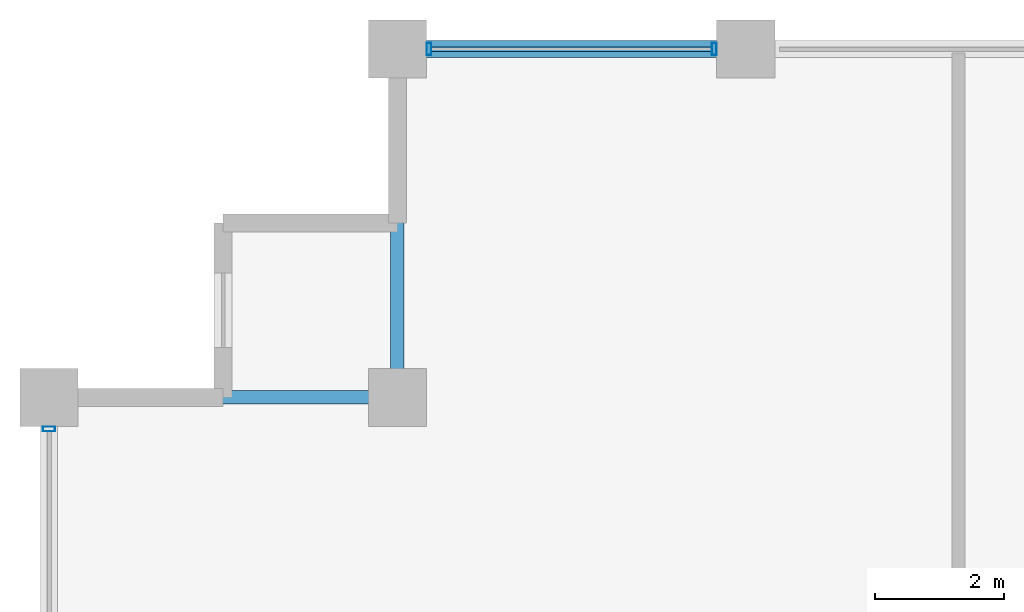
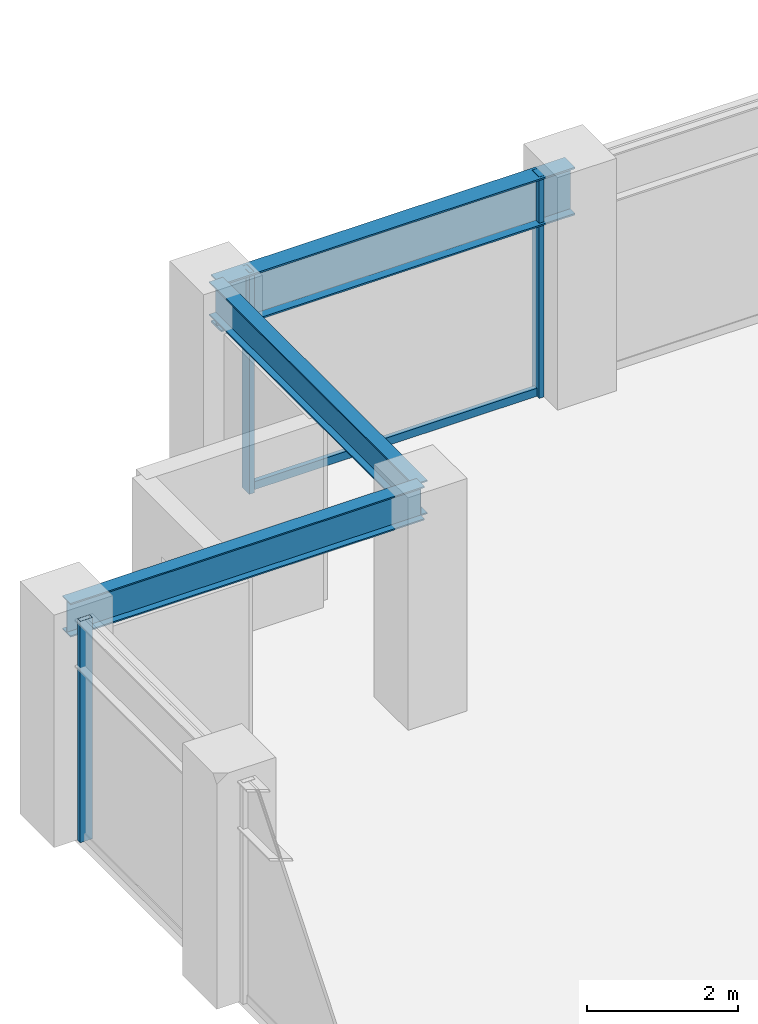
# One storey, part 18 of 32: 4 members, 3 beams, 2 elements without a shape of their own.
"""IFC4 building model written with IfcOpenShell, lengths in metres."""

import ifcopenshell
import ifcopenshell.guid

model = None  # the IFC model being written
_history = None  # IfcOwnerHistory: only IFC2X3 demands one
_inside = {}  # id of a spatial element -> (the spatial element, [elements in it])
_under = {}  # id of a project, library or spatial element -> (it, [spatial elements below it])
_declared = {}  # id of a project -> (the project, [libraries it declares])
_typed = {}  # id of a type object -> (the type object, [elements of that type])
_made_of = {}  # id of a material, layer set ... -> (it, [elements and type objects made of it])


def new_model(schema):
    """Start an empty IFC model of exactly this schema.

    Asked for "IFC4X3", IfcOpenShell would pick the latest addendum, in which some entities
    have other attributes; the version numbers below select the first issue.
    IFC2X3 requires an IfcOwnerHistory on every rooted entity: one is made here for all.
    """
    global model, _history
    if schema == "IFC4X3":
        model = ifcopenshell.file(schema_version=(4, 3, 0, 0))
    else:
        model = ifcopenshell.file(schema=schema)
    _inside.clear()
    _under.clear()
    _declared.clear()
    _typed.clear()
    _made_of.clear()
    _history = None
    if model.schema == "IFC2X3":
        org = make("IfcOrganization", Name="unknown")
        user = make(
            "IfcPersonAndOrganization",
            ThePerson=make("IfcPerson", FamilyName="unknown"),
            TheOrganization=org,
        )
        app = make(
            "IfcApplication",
            ApplicationDeveloper=org,
            Version="unknown",
            ApplicationFullName="unknown",
            ApplicationIdentifier="unknown",
        )
        _history = make(
            "IfcOwnerHistory",
            OwningUser=user,
            OwningApplication=app,
            ChangeAction="ADDED",
            CreationDate=0,
        )
    return model


def make(cls, **values):
    """One entity of the class cls with the attributes given. An attribute that is None is left unset."""
    return model.create_entity(
        cls, **{name: value for name, value in values.items() if value is not None}
    )


def rooted(cls, **values):
    """An entity with a GlobalId (a new one), such as an element, a storey or a relation."""
    return make(cls, GlobalId=ifcopenshell.guid.new(), OwnerHistory=_history, **values)


def si_unit(unit_type, name, prefix=None):
    """IfcSIUnit, for example si_unit("LENGTHUNIT", "METRE", prefix="MILLI")."""
    return make("IfcSIUnit", UnitType=unit_type, Prefix=prefix, Name=name)


def assignment(units):
    """IfcUnitAssignment: the units of a project."""
    return None if units is None else make("IfcUnitAssignment", Units=units)


def point(xyz):
    """IfcCartesianPoint."""
    return None if xyz is None else make("IfcCartesianPoint", Coordinates=xyz)


def direction(xyz):
    """IfcDirection."""
    return None if xyz is None else make("IfcDirection", DirectionRatios=xyz)


def frame(location, z_axis=None, x_axis=None):
    """IfcAxis2Placement3D, a coordinate frame: its origin and axes. An axis left out is left unset."""
    return make(
        "IfcAxis2Placement3D",
        Location=point(location),
        Axis=direction(z_axis),
        RefDirection=direction(x_axis),
    )


def frame_2d(location, x_axis=None):
    """IfcAxis2Placement2D, a coordinate frame in the plane: its origin and x axis."""
    return make(
        "IfcAxis2Placement2D", Location=point(location), RefDirection=direction(x_axis)
    )


def origin():
    """The frame at (0, 0, 0) with its axes left unset."""
    return frame((0.0, 0.0, 0.0))


def origin_2d():
    """The frame at (0, 0) in the plane with its x axis left unset."""
    return frame_2d((0.0, 0.0))


def place(relative_to, where):
    """IfcLocalPlacement: puts the frame where relative to a parent placement (None: the world)."""
    return make(
        "IfcLocalPlacement", PlacementRelTo=relative_to, RelativePlacement=where
    )


def context(
    kind, dimensions, precision=None, world=None, true_north=None, identifier=None
):
    """IfcGeometricRepresentationContext, for example the 3D "Model" context."""
    return make(
        "IfcGeometricRepresentationContext",
        ContextIdentifier=identifier,
        ContextType=kind,
        CoordinateSpaceDimension=dimensions,
        Precision=precision,
        WorldCoordinateSystem=world,
        TrueNorth=true_north,
    )


def subcontext(parent, identifier, kind, view, scale=None):
    """IfcGeometricRepresentationSubContext, for example "Body" below "Model"."""
    return make(
        "IfcGeometricRepresentationSubContext",
        ContextIdentifier=identifier,
        ContextType=kind,
        ParentContext=parent,
        TargetScale=scale,
        TargetView=view,
    )


def project(units=None, contexts=None):
    """IfcProject with its units and contexts."""
    return rooted(
        "IfcProject",
        Name="project",
        RepresentationContexts=contexts,
        UnitsInContext=assignment(units),
    )


def spatial(cls, under=None, at=None, **own):
    """A site, building, storey or space (cls), placed at a placement, below another one or the project."""
    s = rooted(cls, ObjectPlacement=at, **own)
    if under is not None:
        _under.setdefault(under.id(), (under, []))[1].append(s)
    return s


def profile(cls, at=None, kind="AREA", **sizes):
    """A parametric profile (cls). Its sizes go by their IFC names, for example OverallWidth=200.0."""
    return make(cls, ProfileType=kind, Position=at, **sizes)


def hollow_rectangle(**sizes):
    """IfcRectangleHollowProfileDef."""
    return profile("IfcRectangleHollowProfileDef", **sizes)


def i_section(**sizes):
    """IfcIShapeProfileDef."""
    return profile("IfcIShapeProfileDef", **sizes)


def extrude(swept, where, along, depth):
    """IfcExtrudedAreaSolid: the profile swept, set in the frame where, extruded along a direction by depth."""
    return make(
        "IfcExtrudedAreaSolid",
        SweptArea=swept,
        Position=where,
        ExtrudedDirection=direction(along),
        Depth=depth,
    )


def shape(context_of_items, identifier, shape_type, items):
    """IfcShapeRepresentation: the items that make up one representation, for example the "Body"."""
    return make(
        "IfcShapeRepresentation",
        ContextOfItems=context_of_items,
        RepresentationIdentifier=identifier,
        RepresentationType=shape_type,
        Items=items,
    )


def material(Name=None, Category=None):
    """IfcMaterial."""
    return make("IfcMaterial", Name=Name, Category=Category)


def layer(
    of_material, thickness, ventilated=None, Name=None, Category=None, Priority=None
):
    """IfcMaterialLayer: one layer of a wall or slab, of a material (None: an air gap)."""
    return make(
        "IfcMaterialLayer",
        Material=of_material,
        LayerThickness=thickness,
        IsVentilated=ventilated,
        Name=Name,
        Category=Category,
        Priority=Priority,
    )


def layer_set(layers, Name=None):
    """IfcMaterialLayerSet."""
    return make("IfcMaterialLayerSet", MaterialLayers=layers, LayerSetName=Name)


def material_profile(
    of_material, cross_section, Name=None, Category=None, Priority=None
):
    """IfcMaterialProfile: a cross section and its material."""
    return make(
        "IfcMaterialProfile",
        Name=Name,
        Material=of_material,
        Profile=cross_section,
        Priority=Priority,
        Category=Category,
    )


def profile_set(profiles, Name=None, composite=None):
    """IfcMaterialProfileSet."""
    return make(
        "IfcMaterialProfileSet",
        Name=Name,
        MaterialProfiles=profiles,
        CompositeProfile=composite,
    )


def made_of(thing, what):
    """Note that an element or type object is made of a material, layer set ...; save() writes the relation."""
    if what is not None:
        _made_of.setdefault(what.id(), (what, []))[1].append(thing)
    return thing


def type_object(cls, material=None, **own):
    """A type object (cls), such as IfcWallType, which elements share."""
    return made_of(rooted(cls, **own), material)


def element(
    cls,
    number,
    at=None,
    inside=None,
    cuts=None,
    type_object=None,
    material=None,
    context=None,
    identifier="Body",
    shape_type=None,
    held_by="IfcProductDefinitionShape",
    body=None,
    shapes=None,
    **own,
):
    """One element of the class cls, such as IfcWall. Its Tag is "e" and its number.

    at: its placement. inside: the storey or other place that contains it. cuts: it is an
    opening in that element (IfcRelVoidsElement). A single representation is given by context,
    identifier, shape_type and body (its items); several are given by shapes. held_by: the class
    of the entity that holds the representations. save() writes the other relations.
    """
    e = rooted(cls, Tag="e%d" % number, ObjectPlacement=at, **own)
    if body is not None:
        shapes = [shape(context, identifier, shape_type, body)]
    if shapes is not None:
        e.Representation = make(held_by, Representations=shapes)
    if inside is not None:
        _inside.setdefault(inside.id(), (inside, []))[1].append(e)
    if cuts is not None:
        rooted(
            "IfcRelVoidsElement", RelatingBuildingElement=cuts, RelatedOpeningElement=e
        )
    if type_object is not None:
        _typed.setdefault(type_object.id(), (type_object, []))[1].append(e)
    return made_of(e, material)


def aggregate(whole, parts):
    """IfcRelAggregates: a whole, such as a stair, and the parts it consists of."""
    return rooted("IfcRelAggregates", RelatingObject=whole, RelatedObjects=parts)


def save(model, path):
    """Write the relations noted so far, then the file.

    IfcRelAggregates (storeys below a building ...), IfcRelContainedInSpatialStructure (elements
    in a storey), IfcRelDefinesByType, IfcRelAssociatesMaterial and IfcRelDeclares: one each for
    every whole, place, type object, material and project.
    """
    for whole, parts in _under.values():
        aggregate(whole, parts)
    for where, things in _inside.values():
        rooted(
            "IfcRelContainedInSpatialStructure",
            RelatedElements=things,
            RelatingStructure=where,
        )
    for kind, things in _typed.values():
        rooted("IfcRelDefinesByType", RelatedObjects=things, RelatingType=kind)
    for what, things in _made_of.values():
        rooted("IfcRelAssociatesMaterial", RelatedObjects=things, RelatingMaterial=what)
    for by, libraries in _declared.values():
        rooted("IfcRelDeclares", RelatingContext=by, RelatedDefinitions=libraries)
    model.write(path)


model = new_model("IFC4")

# Units and contexts
model_context = context("Model", 3, precision=1e-05, world=origin(), true_north=direction((0.0, 1.0)))
body_context = subcontext(model_context, "Body", "Model", "MODEL_VIEW")
ifc_project = project(units=[si_unit("LENGTHUNIT", "METRE"), si_unit("AREAUNIT", "SQUARE_METRE"), si_unit("VOLUMEUNIT", "CUBIC_METRE"), si_unit("PLANEANGLEUNIT", "RADIAN"), si_unit("MASSUNIT", "GRAM", prefix="KILO")], contexts=[model_context])

# Site, building, storey
site_placement = place(None, origin())
site = spatial("IfcSite", under=ifc_project, at=site_placement, CompositionType="ELEMENT")
building_placement = place(site_placement, origin())
building = spatial("IfcBuilding", under=site, at=building_placement, Name="Surkhivell Harbour Commons", CompositionType="ELEMENT")
storey_placement = place(building_placement, frame((0.0, 0.0, 201.0)))
storey = spatial("IfcBuildingStorey", under=building, at=storey_placement, Name="L52", CompositionType="ELEMENT", Elevation=201.0)

# Beams
ifc_material_1 = material(Name="Steel S355", Category="steel")
ifc_material_profile_1 = material_profile(ifc_material_1, i_section(OverallWidth=0.2119140625, OverallDepth=0.5439453125, WebThickness=0.0126953125, FlangeThickness=0.021240234375, at=origin_2d()), Name="UB533x210x122")
ifc_profile_set_1 = profile_set([ifc_material_profile_1], Name="Steel S355")
beam_type_1 = type_object("IfcBeamType", Name="BM-GRD-533A", PredefinedType="BEAM", material=ifc_profile_set_1)
for number, where, z_axis, x_axis, name in (
    (1, (-27.0, 20.5, 3.298095703125), (1.0, 0.0, 0.0), (0.0, 1.0, 0.0), "L52 Floor Girder (-27.0,20.5)"),
    (2, (-21.60009765625, 20.5, 3.298095703125), (0.0, 1.0, 0.0), (-1.0, 0.0, 0.0), "L52 Floor Girder (-21.6,20.5)"),
):
    element("IfcBeam", number, at=place(storey_placement, frame(where, z_axis=z_axis, x_axis=x_axis)), inside=storey, type_object=beam_type_1, Name=name, PredefinedType="BEAM", context=body_context, shape_type="SweptSolid", body=[
        extrude(i_section(OverallWidth=0.2119140625, OverallDepth=0.5439453125, WebThickness=0.0126953125, FlangeThickness=0.021240234375, at=origin_2d()), origin(), (0.0, 0.0, 1.0), 5.39990234375),
    ])
ifc_material_profile_2 = material_profile(ifc_material_1, i_section(OverallWidth=0.26806640625, OverallDepth=0.77001953125, WebThickness=0.015625, FlangeThickness=0.025390625, at=origin_2d()), Name="UB762x267x197")
ifc_profile_set_2 = profile_set([ifc_material_profile_2], Name="Steel S355")
beam_type_2 = type_object("IfcBeamType", Name="BM-SPN-762", PredefinedType="SPANDREL", material=ifc_profile_set_2)
beam_placement = place(storey_placement, frame((-21.60009765625, 25.89990234375, 3.18505859375), z_axis=(1.0, 0.0, 0.0), x_axis=(0.0, 1.0, 0.0)))
element("IfcBeam", 3, at=beam_placement, inside=storey, type_object=beam_type_2, Name="L52 Tube Spandrel (-21.6,25.9)", PredefinedType="SPANDREL", context=body_context, shape_type="SweptSolid", body=[
    extrude(i_section(OverallWidth=0.26806640625, OverallDepth=0.77001953125, WebThickness=0.015625, FlangeThickness=0.025390625, at=origin_2d()), origin(), (0.0, 0.0, 1.0), 5.400146484375),
])

# Curtain wall, members
ifc_material_2 = material(Name="Anodised pale-metal aluminium and insulated glazing", Category="aluminium")
ifc_layer = layer(ifc_material_2, 0.18994140625)
ifc_layer_set = layer_set([ifc_layer], Name="Anodised pale-metal aluminium and insulated glazing")
curtain_wall_type = type_object("IfcCurtainWallType", Name="CW-SYS-Z3", PredefinedType="NOTDEFINED", material=ifc_layer_set)
curtain_wall_1_placement = place(storey_placement, origin())
curtain_wall_1 = element("IfcCurtainWall", 4, at=curtain_wall_1_placement, inside=storey, type_object=curtain_wall_type, Name="L52 Curtain Wall CW-L52-E07S2", PredefinedType="NOTDEFINED")
ifc_material_3 = material(Name="Anodised pale-metal aluminium alloy 6063-T6", Category="aluminium")
ifc_material_profile_3 = material_profile(ifc_material_3, hollow_rectangle(XDim=0.074951171875, YDim=0.18994140625, WallThickness=0.00390625, at=origin_2d()), Name="ALU-MULL-75x190")
ifc_profile_set_3 = profile_set([ifc_material_profile_3], Name="Anodised pale-metal aluminium alloy 6063-T6")
member_type_1 = type_object("IfcMemberType", Name="CWM-190", PredefinedType="MULLION", material=ifc_profile_set_3)
member_1_placement = place(storey_placement, frame((-16.689453125, 25.89990234375, 0.0), z_axis=(0.0, 0.0, 1.0), x_axis=(-1.0, 0.0, 0.0)))
member_1 = element("IfcMember", 5, at=member_1_placement, type_object=member_type_1, Name="CW-Z3 mullion 3", PredefinedType="MULLION", context=body_context, shape_type="SweptSolid", body=[
    extrude(hollow_rectangle(XDim=0.074951171875, YDim=0.18994140625, WallThickness=0.00390625, at=origin_2d()), origin(), (0.0, 0.0, 1.0), 3.570068359375),
])
member_2_placement = place(storey_placement, frame((-21.110595703125, 25.89990234375, 0.0), z_axis=(0.0, 0.0, 1.0), x_axis=(-1.0, 0.0, 0.0)))
member_2 = element("IfcMember", 6, at=member_2_placement, type_object=member_type_1, Name="CW-Z3 mullion 4", PredefinedType="MULLION", context=body_context, shape_type="SweptSolid", body=[
    extrude(hollow_rectangle(XDim=0.074951171875, YDim=0.18994140625, WallThickness=0.00390625, at=origin_2d()), origin(), (0.0, 0.0, 1.0), 3.570068359375),
])

# Curtain wall, member
curtain_wall_2_placement = place(storey_placement, origin())
curtain_wall_2 = element("IfcCurtainWall", 7, at=curtain_wall_2_placement, inside=storey, type_object=curtain_wall_type, Name="L52 Curtain Wall CW-L52-E12S1", PredefinedType="NOTDEFINED")
member_3_placement = place(storey_placement, frame((-27.0, 20.010498046875, 0.0), z_axis=(0.0, 0.0, 1.0), x_axis=(0.0, -1.0, 0.0)))
member_3 = element("IfcMember", 8, at=member_3_placement, type_object=member_type_1, Name="CW-Z3 mullion 1", PredefinedType="MULLION", context=body_context, shape_type="SweptSolid", body=[
    extrude(hollow_rectangle(XDim=0.074951171875, YDim=0.18994140625, WallThickness=0.00390625, at=origin_2d()), origin(), (0.0, 0.0, 1.0), 3.570068359375),
])
aggregate(curtain_wall_2, [member_3])

# Member
ifc_material_4 = material(Name="Champagne anodised aluminium alloy 6063-T6", Category="aluminium")
ifc_material_profile_4 = material_profile(ifc_material_4, hollow_rectangle(XDim=0.070068359375, YDim=0.1298828125, WallThickness=0.00341796875, at=origin_2d()), Name="ALU-TRAN-70x130")
ifc_profile_set_4 = profile_set([ifc_material_profile_4], Name="Champagne anodised aluminium alloy 6063-T6")
member_type_2 = type_object("IfcMemberType", Name="CWT-130", PredefinedType="USERDEFINED", material=ifc_profile_set_4)
member_4_placement = place(storey_placement, frame((-16.72705078125, 25.89990234375, 0.06494140625), z_axis=(-1.0, 0.0, 0.0), x_axis=(0.0, -1.0, 0.0)))
member_4 = element("IfcMember", 9, at=member_4_placement, type_object=member_type_2, Name="CW-Z3 transom 3.1", ObjectType="TRANSOM", PredefinedType="USERDEFINED", context=body_context, shape_type="SweptSolid", body=[
    extrude(hollow_rectangle(XDim=0.070068359375, YDim=0.1298828125, WallThickness=0.00341796875, at=origin_2d()), origin(), (0.0, 0.0, 1.0), 4.345947265625),
])

aggregate(curtain_wall_1, [member_1, member_2, member_4])

save(model, "model.ifc")
